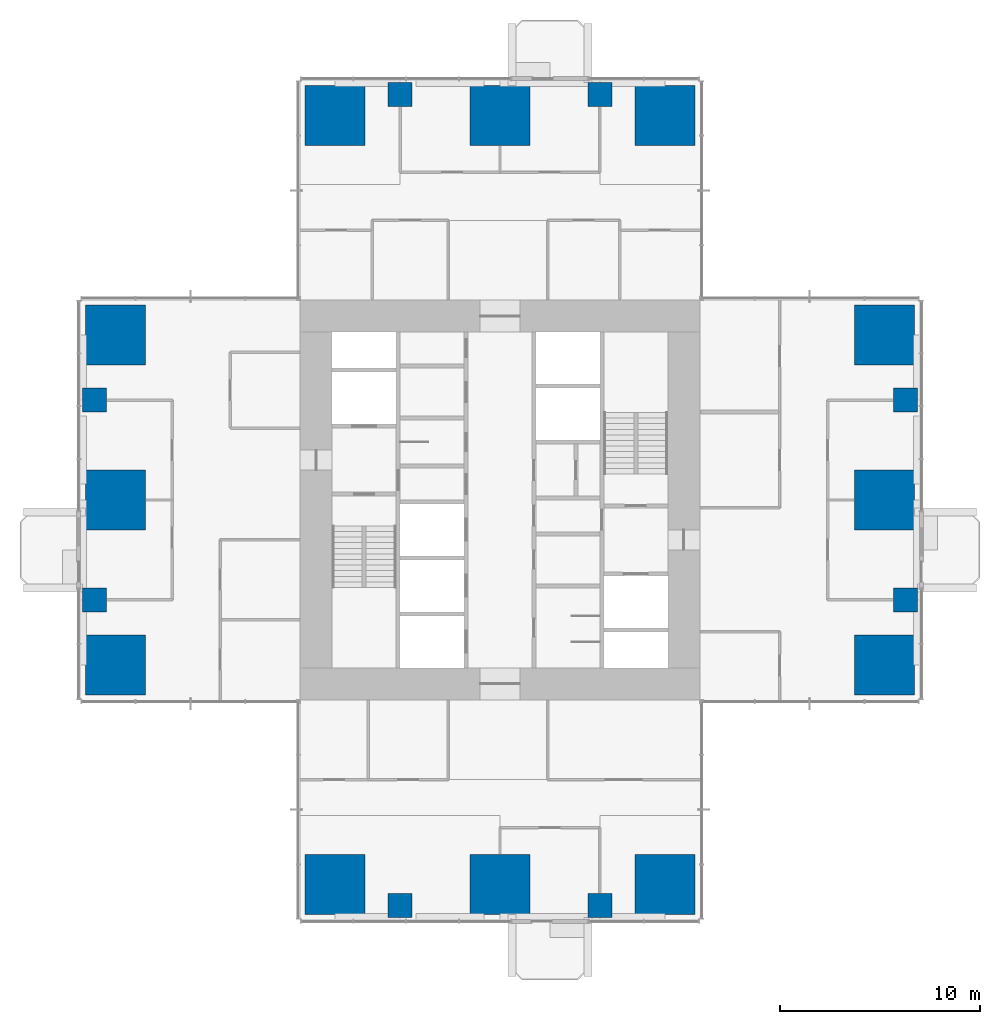
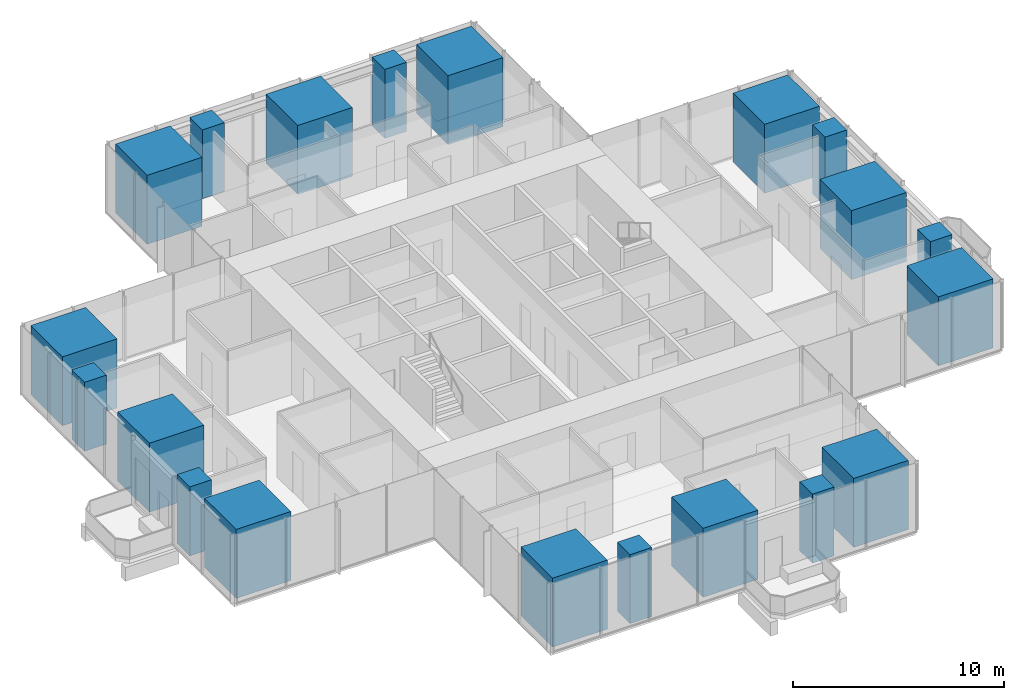
# One storey, part 1 of 14: 20 columns.
"""IFC4 building model written with IfcOpenShell, lengths in metres."""

from ifc_helpers import new_model, si_unit, direction, frame, origin, origin_2d, place, context, subcontext, project, spatial, rectangle, extrude, material, material_profile, profile_set, type_object, element, save


model = new_model("IFC4")

# Units and contexts
model_context = context("Model", 3, precision=1e-05, world=origin(), true_north=direction((0.0, 1.0)))
body_context = subcontext(model_context, "Body", "Model", "MODEL_VIEW")
ifc_project = project(units=[si_unit("LENGTHUNIT", "METRE"), si_unit("AREAUNIT", "SQUARE_METRE"), si_unit("VOLUMEUNIT", "CUBIC_METRE"), si_unit("PLANEANGLEUNIT", "RADIAN"), si_unit("MASSUNIT", "GRAM", prefix="KILO")], contexts=[model_context])

# Site, building, storey
site_placement = place(None, origin())
site = spatial("IfcSite", under=ifc_project, at=site_placement, CompositionType="ELEMENT")
building_placement = place(site_placement, origin())
building = spatial("IfcBuilding", under=site, at=building_placement, Name="Svetlomir Tower", CompositionType="ELEMENT")
storey_placement = place(building_placement, frame((0.0, 0.0, 104.5)))
storey = spatial("IfcBuildingStorey", under=building, at=storey_placement, Name="L24", CompositionType="ELEMENT", Elevation=104.5)

# Columns
ifc_material_1 = material(Name="Concrete C60/75", Category="concrete")
ifc_material_profile_1 = material_profile(ifc_material_1, rectangle(XDim=1.199951171875, YDim=1.199951171875, at=origin_2d()), Name="RC 1200x1200")
ifc_profile_set_1 = profile_set([ifc_material_profile_1], Name="Concrete C60/75")
column_type_1 = type_object("IfcColumnType", Name="COLUMN RC 1200x1200", PredefinedType="COLUMN", material=ifc_profile_set_1)
for number, where, z_axis, x_axis, name in (
    (1, (16.0, 0.699951171875, 0.0), (0.0, 0.0, 1.0), (1.0, 0.0, 0.0), "Column 16/0 L24"),
    (2, (26.0, 0.699951171875, 0.0), (0.0, 0.0, 1.0), (1.0, 0.0, 0.0), "Column 26/0 L24"),
    (3, (0.699951171875, 16.0, 0.0), (0.0, 0.0, 1.0), (1.0, 0.0, 0.0), "Column 0/16 L24"),
    (4, (41.300048828125, 16.0, 0.0), (0.0, 0.0, 1.0), (1.0, 0.0, 0.0), "Column 42/16 L24"),
    (5, (0.699951171875, 26.0, 0.0), (0.0, 0.0, 1.0), (1.0, 0.0, 0.0), "Column 0/26 L24"),
    (6, (41.300048828125, 26.0, 0.0), (0.0, 0.0, 1.0), (1.0, 0.0, 0.0), "Column 42/26 L24"),
    (7, (16.0, 41.300048828125, 0.0), (0.0, 0.0, 1.0), (1.0, 0.0, 0.0), "Column 16/42 L24"),
    (8, (26.0, 41.300048828125, 0.0), (0.0, 0.0, 1.0), (1.0, 0.0, 0.0), "Column 26/42 L24"),
):
    element("IfcColumn", number, at=place(storey_placement, frame(where, z_axis=z_axis, x_axis=x_axis)), inside=storey, type_object=column_type_1, Name=name, PredefinedType="COLUMN", context=body_context, shape_type="SweptSolid", body=[
        extrude(rectangle(XDim=1.199951171875, YDim=1.199951171875, at=origin_2d()), origin(), (0.0, 0.0, 1.0), 4.0),
    ])
ifc_material_2 = material(Name="Concrete C60/75", Category="concrete")
ifc_material_profile_2 = material_profile(ifc_material_2, rectangle(XDim=3.0, YDim=3.0, at=origin_2d()), Name="RC 3000x3000")
ifc_profile_set_2 = profile_set([ifc_material_profile_2], Name="Concrete C60/75")
column_type_2 = type_object("IfcColumnType", Name="COLUMN RC 3000x3000", PredefinedType="COLUMN", material=ifc_profile_set_2)
for number, where, z_axis, x_axis, name in (
    (9, (12.75, 1.75, 0.0), (0.0, 0.0, 1.0), (1.0, 0.0, 0.0), "Column 11/0 L24"),
    (10, (21.0, 1.75, 0.0), (0.0, 0.0, 1.0), (1.0, 0.0, 0.0), "Column 21/0 L24"),
    (11, (29.25, 1.75, 0.0), (0.0, 0.0, 1.0), (1.0, 0.0, 0.0), "Column 31/0 L24"),
    (12, (1.75, 12.75, 0.0), (0.0, 0.0, 1.0), (1.0, 0.0, 0.0), "Column 0/11 L24"),
    (13, (40.25, 12.75, 0.0), (0.0, 0.0, 1.0), (1.0, 0.0, 0.0), "Column 42/11 L24"),
    (14, (1.75, 21.0, 0.0), (0.0, 0.0, 1.0), (1.0, 0.0, 0.0), "Column 0/21 L24"),
    (15, (40.25, 21.0, 0.0), (0.0, 0.0, 1.0), (1.0, 0.0, 0.0), "Column 42/21 L24"),
    (16, (1.75, 29.25, 0.0), (0.0, 0.0, 1.0), (1.0, 0.0, 0.0), "Column 0/31 L24"),
    (17, (40.25, 29.25, 0.0), (0.0, 0.0, 1.0), (1.0, 0.0, 0.0), "Column 42/31 L24"),
    (18, (12.75, 40.25, 0.0), (0.0, 0.0, 1.0), (1.0, 0.0, 0.0), "Column 11/42 L24"),
    (19, (21.0, 40.25, 0.0), (0.0, 0.0, 1.0), (1.0, 0.0, 0.0), "Column 21/42 L24"),
    (20, (29.25, 40.25, 0.0), (0.0, 0.0, 1.0), (1.0, 0.0, 0.0), "Column 31/42 L24"),
):
    element("IfcColumn", number, at=place(storey_placement, frame(where, z_axis=z_axis, x_axis=x_axis)), inside=storey, type_object=column_type_2, Name=name, PredefinedType="COLUMN", context=body_context, shape_type="SweptSolid", body=[
        extrude(rectangle(XDim=3.0, YDim=3.0, at=origin_2d()), origin(), (0.0, 0.0, 1.0), 4.0),
    ])

save(model, "model.ifc")
